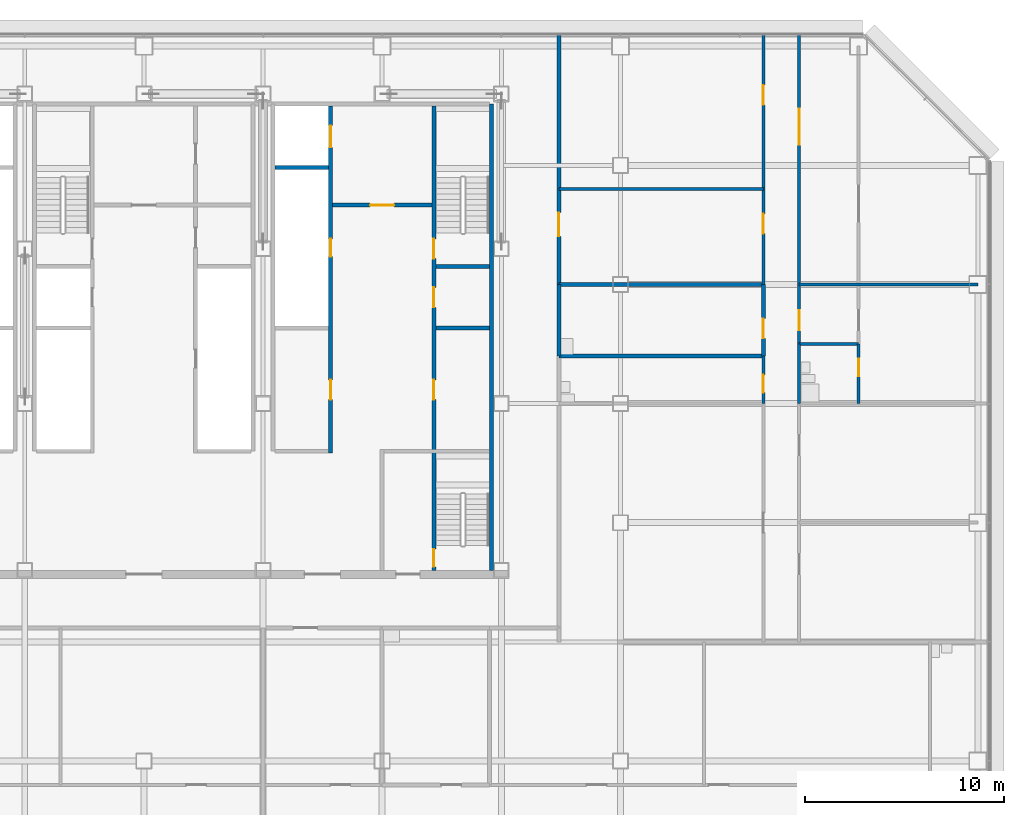
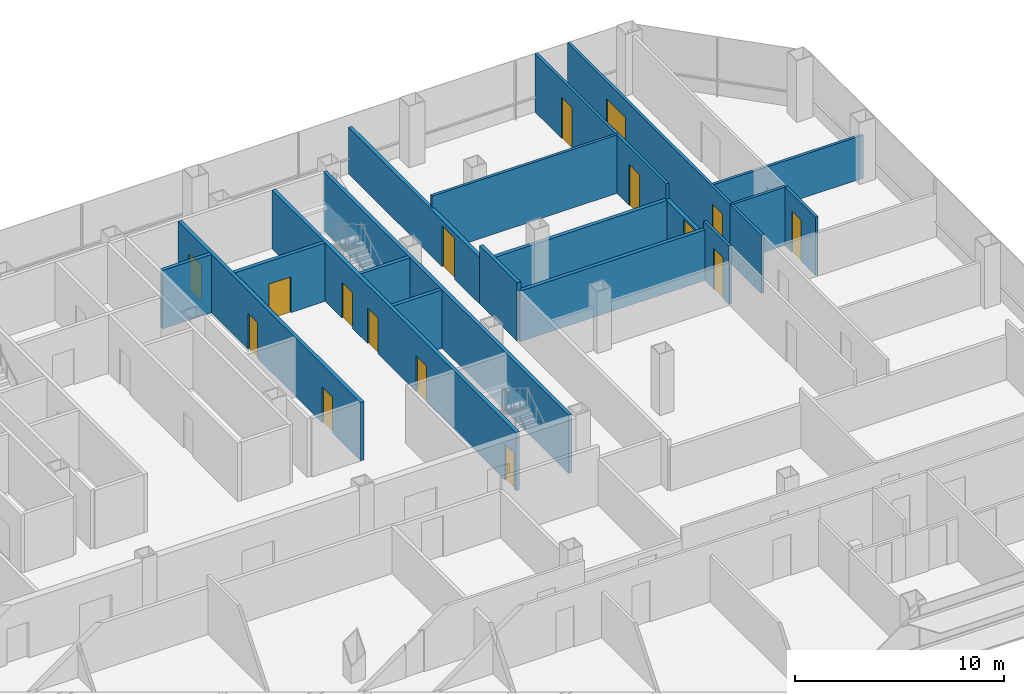
# One storey, part 23 of 27: 20 walls, 16 doors, 16 openings.
"""IFC4 building model written with IfcOpenShell, lengths in metres."""

import ifcopenshell
import ifcopenshell.guid

model = None  # the IFC model being written
_history = None  # IfcOwnerHistory: only IFC2X3 demands one
_inside = {}  # id of a spatial element -> (the spatial element, [elements in it])
_under = {}  # id of a project, library or spatial element -> (it, [spatial elements below it])
_declared = {}  # id of a project -> (the project, [libraries it declares])
_typed = {}  # id of a type object -> (the type object, [elements of that type])
_made_of = {}  # id of a material, layer set ... -> (it, [elements and type objects made of it])


def new_model(schema):
    """Start an empty IFC model of exactly this schema.

    Asked for "IFC4X3", IfcOpenShell would pick the latest addendum, in which some entities
    have other attributes; the version numbers below select the first issue.
    IFC2X3 requires an IfcOwnerHistory on every rooted entity: one is made here for all.
    """
    global model, _history
    if schema == "IFC4X3":
        model = ifcopenshell.file(schema_version=(4, 3, 0, 0))
    else:
        model = ifcopenshell.file(schema=schema)
    _inside.clear()
    _under.clear()
    _declared.clear()
    _typed.clear()
    _made_of.clear()
    _history = None
    if model.schema == "IFC2X3":
        org = make("IfcOrganization", Name="unknown")
        user = make(
            "IfcPersonAndOrganization",
            ThePerson=make("IfcPerson", FamilyName="unknown"),
            TheOrganization=org,
        )
        app = make(
            "IfcApplication",
            ApplicationDeveloper=org,
            Version="unknown",
            ApplicationFullName="unknown",
            ApplicationIdentifier="unknown",
        )
        _history = make(
            "IfcOwnerHistory",
            OwningUser=user,
            OwningApplication=app,
            ChangeAction="ADDED",
            CreationDate=0,
        )
    return model


def make(cls, **values):
    """One entity of the class cls with the attributes given. An attribute that is None is left unset."""
    return model.create_entity(
        cls, **{name: value for name, value in values.items() if value is not None}
    )


def rooted(cls, **values):
    """An entity with a GlobalId (a new one), such as an element, a storey or a relation."""
    return make(cls, GlobalId=ifcopenshell.guid.new(), OwnerHistory=_history, **values)


def si_unit(unit_type, name, prefix=None):
    """IfcSIUnit, for example si_unit("LENGTHUNIT", "METRE", prefix="MILLI")."""
    return make("IfcSIUnit", UnitType=unit_type, Prefix=prefix, Name=name)


def assignment(units):
    """IfcUnitAssignment: the units of a project."""
    return None if units is None else make("IfcUnitAssignment", Units=units)


def point(xyz):
    """IfcCartesianPoint."""
    return None if xyz is None else make("IfcCartesianPoint", Coordinates=xyz)


def direction(xyz):
    """IfcDirection."""
    return None if xyz is None else make("IfcDirection", DirectionRatios=xyz)


def frame(location, z_axis=None, x_axis=None):
    """IfcAxis2Placement3D, a coordinate frame: its origin and axes. An axis left out is left unset."""
    return make(
        "IfcAxis2Placement3D",
        Location=point(location),
        Axis=direction(z_axis),
        RefDirection=direction(x_axis),
    )


def frame_2d(location, x_axis=None):
    """IfcAxis2Placement2D, a coordinate frame in the plane: its origin and x axis."""
    return make(
        "IfcAxis2Placement2D", Location=point(location), RefDirection=direction(x_axis)
    )


def origin():
    """The frame at (0, 0, 0) with its axes left unset."""
    return frame((0.0, 0.0, 0.0))


def place(relative_to, where):
    """IfcLocalPlacement: puts the frame where relative to a parent placement (None: the world)."""
    return make(
        "IfcLocalPlacement", PlacementRelTo=relative_to, RelativePlacement=where
    )


def context(
    kind, dimensions, precision=None, world=None, true_north=None, identifier=None
):
    """IfcGeometricRepresentationContext, for example the 3D "Model" context."""
    return make(
        "IfcGeometricRepresentationContext",
        ContextIdentifier=identifier,
        ContextType=kind,
        CoordinateSpaceDimension=dimensions,
        Precision=precision,
        WorldCoordinateSystem=world,
        TrueNorth=true_north,
    )


def subcontext(parent, identifier, kind, view, scale=None):
    """IfcGeometricRepresentationSubContext, for example "Body" below "Model"."""
    return make(
        "IfcGeometricRepresentationSubContext",
        ContextIdentifier=identifier,
        ContextType=kind,
        ParentContext=parent,
        TargetScale=scale,
        TargetView=view,
    )


def project(units=None, contexts=None):
    """IfcProject with its units and contexts."""
    return rooted(
        "IfcProject",
        Name="project",
        RepresentationContexts=contexts,
        UnitsInContext=assignment(units),
    )


def spatial(cls, under=None, at=None, **own):
    """A site, building, storey or space (cls), placed at a placement, below another one or the project."""
    s = rooted(cls, ObjectPlacement=at, **own)
    if under is not None:
        _under.setdefault(under.id(), (under, []))[1].append(s)
    return s


def profile(cls, at=None, kind="AREA", **sizes):
    """A parametric profile (cls). Its sizes go by their IFC names, for example OverallWidth=200.0."""
    return make(cls, ProfileType=kind, Position=at, **sizes)


def rectangle(**sizes):
    """IfcRectangleProfileDef."""
    return profile("IfcRectangleProfileDef", **sizes)


def extrude(swept, where, along, depth):
    """IfcExtrudedAreaSolid: the profile swept, set in the frame where, extruded along a direction by depth."""
    return make(
        "IfcExtrudedAreaSolid",
        SweptArea=swept,
        Position=where,
        ExtrudedDirection=direction(along),
        Depth=depth,
    )


def shape(context_of_items, identifier, shape_type, items):
    """IfcShapeRepresentation: the items that make up one representation, for example the "Body"."""
    return make(
        "IfcShapeRepresentation",
        ContextOfItems=context_of_items,
        RepresentationIdentifier=identifier,
        RepresentationType=shape_type,
        Items=items,
    )


def material(Name=None, Category=None):
    """IfcMaterial."""
    return make("IfcMaterial", Name=Name, Category=Category)


def layer(
    of_material, thickness, ventilated=None, Name=None, Category=None, Priority=None
):
    """IfcMaterialLayer: one layer of a wall or slab, of a material (None: an air gap)."""
    return make(
        "IfcMaterialLayer",
        Material=of_material,
        LayerThickness=thickness,
        IsVentilated=ventilated,
        Name=Name,
        Category=Category,
        Priority=Priority,
    )


def layer_set(layers, Name=None):
    """IfcMaterialLayerSet."""
    return make("IfcMaterialLayerSet", MaterialLayers=layers, LayerSetName=Name)


def made_of(thing, what):
    """Note that an element or type object is made of a material, layer set ...; save() writes the relation."""
    if what is not None:
        _made_of.setdefault(what.id(), (what, []))[1].append(thing)
    return thing


def type_object(cls, material=None, **own):
    """A type object (cls), such as IfcWallType, which elements share."""
    return made_of(rooted(cls, **own), material)


def element(
    cls,
    number,
    at=None,
    inside=None,
    cuts=None,
    type_object=None,
    material=None,
    context=None,
    identifier="Body",
    shape_type=None,
    held_by="IfcProductDefinitionShape",
    body=None,
    shapes=None,
    **own,
):
    """One element of the class cls, such as IfcWall. Its Tag is "e" and its number.

    at: its placement. inside: the storey or other place that contains it. cuts: it is an
    opening in that element (IfcRelVoidsElement). A single representation is given by context,
    identifier, shape_type and body (its items); several are given by shapes. held_by: the class
    of the entity that holds the representations. save() writes the other relations.
    """
    e = rooted(cls, Tag="e%d" % number, ObjectPlacement=at, **own)
    if body is not None:
        shapes = [shape(context, identifier, shape_type, body)]
    if shapes is not None:
        e.Representation = make(held_by, Representations=shapes)
    if inside is not None:
        _inside.setdefault(inside.id(), (inside, []))[1].append(e)
    if cuts is not None:
        rooted(
            "IfcRelVoidsElement", RelatingBuildingElement=cuts, RelatedOpeningElement=e
        )
    if type_object is not None:
        _typed.setdefault(type_object.id(), (type_object, []))[1].append(e)
    return made_of(e, material)


def fill(opening, filler):
    """IfcRelFillsElement: the door or window that sits in an opening."""
    return rooted(
        "IfcRelFillsElement",
        RelatingOpeningElement=opening,
        RelatedBuildingElement=filler,
    )


def aggregate(whole, parts):
    """IfcRelAggregates: a whole, such as a stair, and the parts it consists of."""
    return rooted("IfcRelAggregates", RelatingObject=whole, RelatedObjects=parts)


def save(model, path):
    """Write the relations noted so far, then the file.

    IfcRelAggregates (storeys below a building ...), IfcRelContainedInSpatialStructure (elements
    in a storey), IfcRelDefinesByType, IfcRelAssociatesMaterial and IfcRelDeclares: one each for
    every whole, place, type object, material and project.
    """
    for whole, parts in _under.values():
        aggregate(whole, parts)
    for where, things in _inside.values():
        rooted(
            "IfcRelContainedInSpatialStructure",
            RelatedElements=things,
            RelatingStructure=where,
        )
    for kind, things in _typed.values():
        rooted("IfcRelDefinesByType", RelatedObjects=things, RelatingType=kind)
    for what, things in _made_of.values():
        rooted("IfcRelAssociatesMaterial", RelatedObjects=things, RelatingMaterial=what)
    for by, libraries in _declared.values():
        rooted("IfcRelDeclares", RelatingContext=by, RelatedDefinitions=libraries)
    model.write(path)


model = new_model("IFC4")

# Units and contexts
model_context = context("Model", 3, precision=1e-05, world=origin(), true_north=direction((0.0, 1.0)))
body_context = subcontext(model_context, "Body", "Model", "MODEL_VIEW")
ifc_project = project(units=[si_unit("LENGTHUNIT", "METRE"), si_unit("AREAUNIT", "SQUARE_METRE"), si_unit("VOLUMEUNIT", "CUBIC_METRE"), si_unit("PLANEANGLEUNIT", "RADIAN"), si_unit("MASSUNIT", "GRAM", prefix="KILO")], contexts=[model_context])

# Site, building, storey
site_placement = place(None, origin())
site = spatial("IfcSite", under=ifc_project, at=site_placement, CompositionType="ELEMENT")
building_placement = place(site_placement, origin())
building = spatial("IfcBuilding", under=site, at=building_placement, Name="Sorahane Residences", CompositionType="ELEMENT")
storey_placement = place(building_placement, frame((0.0, 0.0, 75.0)))
storey = spatial("IfcBuildingStorey", under=building, at=storey_placement, Name="L15", CompositionType="ELEMENT", Elevation=75.0)

# Wall
ifc_material_1 = material(Name="Concrete C30", Category="concrete")
ifc_layer_1 = layer(ifc_material_1, 0.199951171875)
ifc_layer_set_1 = layer_set([ifc_layer_1], Name="Core face wall 200 EI 180")
wall_type_1 = type_object("IfcWallType", Name="Core face wall 200 EI 180", PredefinedType="SOLIDWALL", material=ifc_layer_set_1)
wall_1_placement = place(storey_placement, frame((41.5, 21.60009765625, 0.0), z_axis=(0.0, 0.0, 1.0), x_axis=(0.0, 1.0, 0.0)))
element("IfcWall", 1, at=wall_1_placement, inside=storey, type_object=wall_type_1, Name="L15 core face wall", PredefinedType="SOLIDWALL", context=body_context, shape_type="SweptSolid", body=[
    extrude(rectangle(XDim=23.5, YDim=0.199951171875, at=frame_2d((11.75, 0.0))), origin(), (0.0, 0.0, 1.0), 3.419921875),
])

# Wall, opening, door
ifc_material_2 = material(Name="Concrete blockwork C20 wall", Category="masonry")
ifc_layer_2 = layer(ifc_material_2, 0.199951171875)
ifc_layer_set_2 = layer_set([ifc_layer_2], Name="Corridor wall 200 EI 120")
wall_type_2 = type_object("IfcWallType", Name="Corridor wall 200 EI 120", PredefinedType="SOLIDWALL", material=ifc_layer_set_2)
wall_2_placement = place(storey_placement, frame((44.89990234375, 36.0, 0.0), z_axis=(0.0, 0.0, 1.0), x_axis=(0.0, 1.0, 0.0)))
wall_2 = element("IfcWall", 2, at=wall_2_placement, inside=storey, type_object=wall_type_2, Name="L15 corridor wall", PredefinedType="SOLIDWALL", context=body_context, shape_type="SweptSolid", body=[
    extrude(rectangle(XDim=12.60009765625, YDim=0.199951171875, at=frame_2d((6.300048828125, 0.0))), origin(), (0.0, 0.0, 1.0), 2.719970703125),
])
opening_1_placement = place(wall_2_placement, frame((2.419921875, 0.0, 0.0)))
opening_1 = element("IfcOpeningElement", 3, at=opening_1_placement, cuts=wall_2, Name="Opening L15-40", PredefinedType="OPENING", context=body_context, shape_type="SweptSolid", body=[
    extrude(rectangle(XDim=1.199951171875, YDim=2.39990234375, at=frame_2d((0.60009765625, 1.199951171875))), frame((0.0, 0.10986328125, 0.0), z_axis=(0.0, -1.0, 0.0), x_axis=(1.0, 0.0, 0.0)), (0.0, 0.0, 1.0), 0.219970703125),
])
ifc_material_3 = material(Name="Timber veneered fire door", Category="wood")
door_type_1 = type_object("IfcDoorType", Name="Flat entrance door 1200x2400 FD60", OperationType="NOTDEFINED", PredefinedType="DOOR", material=ifc_material_3)
door_1_placement = place(opening_1_placement, frame((1.199951171875, 0.0, 0.0), z_axis=(0.0, 0.0, 1.0), x_axis=(-1.0, 0.0, 0.0)))
door_1 = element("IfcDoor", 4, at=door_1_placement, inside=storey, type_object=door_type_1, Name="Flat entrance door L15-40", OperationType="SINGLE_SWING_LEFT", OverallHeight=2.39990234375, OverallWidth=1.199951171875, PredefinedType="DOOR", context=body_context, shape_type="SweptSolid", body=[
    extrude(rectangle(XDim=1.199951171875, YDim=2.39990234375, at=frame_2d((0.60009765625, 1.199951171875))), frame((0.0, 0.02490234375, 0.0), z_axis=(0.0, -1.0, 0.0), x_axis=(1.0, 0.0, 0.0)), (0.0, 0.0, 1.0), 0.050048828125),
])
fill(opening_1, door_1)

ifc_material_4 = material(Name="Concrete C30", Category="concrete")
ifc_layer_3 = layer(ifc_material_4, 0.199951171875)
ifc_layer_set_3 = layer_set([ifc_layer_3], Name="Front room wall 200 EI 120")
wall_type_3 = type_object("IfcWallType", Name="Front room wall 200 EI 120", PredefinedType="PARTITIONING", material=ifc_layer_set_3)
wall_3_placement = place(storey_placement, frame((33.5, 40.0, 0.0), z_axis=(0.0, 0.0, 1.0), x_axis=(1.0, 0.0, 0.0)))
wall_3 = element("IfcWall", 5, at=wall_3_placement, inside=storey, type_object=wall_type_3, Name="L15 front room wall", PredefinedType="PARTITIONING", context=body_context, shape_type="SweptSolid", body=[
    extrude(rectangle(XDim=5.0, YDim=0.199951171875, at=frame_2d((2.5, 0.0))), origin(), (0.0, 0.0, 1.0), 3.419921875),
])
opening_2_placement = place(wall_3_placement, frame((1.89990234375, 0.0, 0.0)))
opening_2 = element("IfcOpeningElement", 6, at=opening_2_placement, cuts=wall_3, Name="Opening L15-C08", PredefinedType="OPENING", context=body_context, shape_type="SweptSolid", body=[
    extrude(rectangle(XDim=1.199951171875, YDim=2.10009765625, at=frame_2d((0.60009765625, 1.050048828125))), frame((0.0, 0.10986328125, 0.0), z_axis=(0.0, -1.0, 0.0), x_axis=(1.0, 0.0, 0.0)), (0.0, 0.0, 1.0), 0.219970703125),
])
ifc_material_5 = material(Name="Steel", Category="steel")
door_type_2 = type_object("IfcDoorType", Name="Front room door 1200x2100 FD120", OperationType="NOTDEFINED", PredefinedType="DOOR", material=ifc_material_5)
door_2_placement = place(opening_2_placement, frame((1.199951171875, 0.0, 0.0), z_axis=(0.0, 0.0, 1.0), x_axis=(-1.0, 0.0, 0.0)))
door_2 = element("IfcDoor", 7, at=door_2_placement, inside=storey, type_object=door_type_2, Name="Front room door Firefighting lobby FF2 front room L15", OperationType="DOUBLE_DOOR_SINGLE_SWING", OverallHeight=2.10009765625, OverallWidth=1.199951171875, PredefinedType="DOOR", context=body_context, shape_type="SweptSolid", body=[
    extrude(rectangle(XDim=1.199951171875, YDim=2.10009765625, at=frame_2d((0.60009765625, 1.050048828125))), frame((0.0, 0.02490234375, 0.0), z_axis=(0.0, -1.0, 0.0), x_axis=(1.0, 0.0, 0.0)), (0.0, 0.0, 1.0), 0.050048828125),
])
fill(opening_2, door_2)

# Wall
ifc_material_6 = material(Name="Concrete blockwork C20 wall", Category="masonry")
ifc_layer_4 = layer(ifc_material_6, 0.199951171875)
ifc_layer_set_4 = layer_set([ifc_layer_4], Name="Kitchen wall 200 EI 180")
wall_type_4 = type_object("IfcWallType", Name="Kitchen wall 200 EI 180", PredefinedType="SOLIDWALL", material=ifc_layer_set_4)
wall_4_placement = place(storey_placement, frame((44.89990234375, 32.39990234375, 0.0), z_axis=(0.0, 0.0, 1.0), x_axis=(0.0, 1.0, 0.0)))
element("IfcWall", 8, at=wall_4_placement, inside=storey, type_object=wall_type_4, Name="L15 kitchen wall", PredefinedType="SOLIDWALL", context=body_context, shape_type="SweptSolid", body=[
    extrude(rectangle(XDim=3.60009765625, YDim=0.199951171875, at=frame_2d((1.800048828125, 0.0))), origin(), (0.0, 0.0, 1.0), 3.419921875),
])

# Wall, opening, door
wall_5_placement = place(storey_placement, frame((55.199951171875, 32.39990234375, 0.0), z_axis=(0.0, 0.0, 1.0), x_axis=(0.0, 1.0, 0.0)))
wall_5 = element("IfcWall", 9, at=wall_5_placement, inside=storey, type_object=wall_type_4, Name="L15 kitchen wall", PredefinedType="SOLIDWALL", context=body_context, shape_type="SweptSolid", body=[
    extrude(rectangle(XDim=3.60009765625, YDim=0.199951171875, at=frame_2d((1.800048828125, 0.0))), origin(), (0.0, 0.0, 1.0), 2.52001953125),
])
opening_3_placement = place(wall_5_placement, frame((0.8798828125, 0.0, 0.0)))
opening_3 = element("IfcOpeningElement", 10, at=opening_3_placement, cuts=wall_5, Name="Opening L15-29", PredefinedType="OPENING", context=body_context, shape_type="SweptSolid", body=[
    extrude(rectangle(XDim=1.0, YDim=2.39990234375, at=frame_2d((0.5, 1.199951171875))), frame((0.0, 0.10986328125, 0.0), z_axis=(0.0, -1.0, 0.0), x_axis=(1.0, 0.0, 0.0)), (0.0, 0.0, 1.0), 0.219970703125),
])
ifc_material_7 = material(Name="Steel", Category="steel")
door_type_3 = type_object("IfcDoorType", Name="Kitchen door 1000x2400 FD120", OperationType="NOTDEFINED", PredefinedType="DOOR", material=ifc_material_7)
door_3_placement = place(opening_3_placement, origin())
door_3 = element("IfcDoor", 11, at=door_3_placement, inside=storey, type_object=door_type_3, Name="Kitchen door L15-29", OperationType="SINGLE_SWING_RIGHT", OverallHeight=2.39990234375, OverallWidth=1.0, PredefinedType="DOOR", context=body_context, shape_type="SweptSolid", body=[
    extrude(rectangle(XDim=1.0, YDim=2.39990234375, at=frame_2d((0.5, 1.199951171875))), frame((0.0, 0.02490234375, 0.0), z_axis=(0.0, -1.0, 0.0), x_axis=(1.0, 0.0, 0.0)), (0.0, 0.0, 1.0), 0.050048828125),
])
fill(opening_3, door_3)

# Walls
wall_6_placement = place(storey_placement, frame((44.89990234375, 32.39990234375, 0.0), z_axis=(0.0, 0.0, 1.0), x_axis=(1.0, 0.0, 0.0)))
element("IfcWall", 12, at=wall_6_placement, inside=storey, type_object=wall_type_4, Name="L15 kitchen wall", PredefinedType="SOLIDWALL", context=body_context, shape_type="SweptSolid", body=[
    extrude(rectangle(XDim=10.300048828125, YDim=0.199951171875, at=frame_2d((5.14990234375, 0.0))), origin(), (0.0, 0.0, 1.0), 2.969970703125),
])
wall_7_placement = place(storey_placement, frame((44.89990234375, 36.0, 0.0), z_axis=(0.0, 0.0, 1.0), x_axis=(1.0, 0.0, 0.0)))
element("IfcWall", 13, at=wall_7_placement, inside=storey, type_object=wall_type_4, Name="L15 kitchen wall", PredefinedType="SOLIDWALL", context=body_context, shape_type="SweptSolid", body=[
    extrude(rectangle(XDim=10.300048828125, YDim=0.199951171875, at=frame_2d((5.14990234375, 0.0))), origin(), (0.0, 0.0, 1.0), 2.52001953125),
])

# Wall, openings, doors
ifc_material_8 = material(Name="Concrete C30", Category="concrete")
ifc_layer_5 = layer(ifc_material_8, 0.199951171875)
ifc_layer_set_5 = layer_set([ifc_layer_5], Name="Lift shaft wall 200 EI 120")
wall_type_5 = type_object("IfcWallType", Name="Lift shaft wall 200 EI 120", PredefinedType="SOLIDWALL", material=ifc_layer_set_5)
wall_8_placement = place(storey_placement, frame((33.39990234375, 27.5, 0.0), z_axis=(0.0, 0.0, 1.0), x_axis=(0.0, 1.0, 0.0)))
wall_8 = element("IfcWall", 14, at=wall_8_placement, inside=storey, type_object=wall_type_5, Name="L15 lift shaft wall", PredefinedType="SOLIDWALL", context=body_context, shape_type="SweptSolid", body=[
    extrude(rectangle(XDim=17.5, YDim=0.199951171875, at=frame_2d((8.75, 0.0))), origin(), (0.0, 0.0, 1.0), 3.419921875),
])
opening_4_placement = place(wall_8_placement, frame((15.39990234375, 0.0, 0.0)))
opening_4 = element("IfcOpeningElement", 15, at=opening_4_placement, cuts=wall_8, Name="Opening L15-C09", PredefinedType="OPENING", context=body_context, shape_type="SweptSolid", body=[
    extrude(rectangle(XDim=1.10009765625, YDim=2.10009765625, at=frame_2d((0.550048828125, 1.050048828125))), frame((0.0, 0.10986328125, 0.0), z_axis=(0.0, -1.0, 0.0), x_axis=(1.0, 0.0, 0.0)), (0.0, 0.0, 1.0), 0.219970703125),
])
opening_5_placement = place(wall_8_placement, frame((2.699951171875, 0.0, 0.0)))
opening_5 = element("IfcOpeningElement", 16, at=opening_5_placement, cuts=wall_8, Name="Opening L15-C18", PredefinedType="OPENING", context=body_context, shape_type="SweptSolid", body=[
    extrude(rectangle(XDim=1.0, YDim=2.10009765625, at=frame_2d((0.5, 1.050048828125))), frame((0.0, 0.10986328125, 0.0), z_axis=(0.0, -1.0, 0.0), x_axis=(1.0, 0.0, 0.0)), (0.0, 0.0, 1.0), 0.219970703125),
])
opening_6_placement = place(wall_8_placement, frame((9.89990234375, 0.0, 0.0)))
opening_6 = element("IfcOpeningElement", 17, at=opening_6_placement, cuts=wall_8, Name="Opening L15-C25", PredefinedType="OPENING", context=body_context, shape_type="SweptSolid", body=[
    extrude(rectangle(XDim=0.89990234375, YDim=2.10009765625, at=frame_2d((0.449951171875, 1.050048828125))), frame((0.0, 0.10986328125, 0.0), z_axis=(0.0, -1.0, 0.0), x_axis=(1.0, 0.0, 0.0)), (0.0, 0.0, 1.0), 0.219970703125),
])
ifc_material_9 = material(Name="Aluminium and stainless steel", Category="steel")
door_type_4 = type_object("IfcDoorType", Name="Lift landing door 1100x2100 E 60", OperationType="NOTDEFINED", PredefinedType="DOOR", material=ifc_material_9)
door_4_placement = place(opening_4_placement, origin())
door_4 = element("IfcDoor", 18, at=door_4_placement, inside=storey, type_object=door_type_4, Name="Lift landing door FF2 L15", OperationType="DOUBLE_DOOR_SLIDING", OverallHeight=2.10009765625, OverallWidth=1.10009765625, PredefinedType="DOOR", context=body_context, shape_type="SweptSolid", body=[
    extrude(rectangle(XDim=1.10009765625, YDim=2.10009765625, at=frame_2d((0.550048828125, 1.050048828125))), frame((0.0, 0.02490234375, 0.0), z_axis=(0.0, -1.0, 0.0), x_axis=(1.0, 0.0, 0.0)), (0.0, 0.0, 1.0), 0.050048828125),
])
fill(opening_4, door_4)
ifc_material_10 = material(Name="Steel", Category="steel")
door_type_5 = type_object("IfcDoorType", Name="Riser door 900x2100 FD120", OperationType="NOTDEFINED", PredefinedType="DOOR", material=ifc_material_10)
door_5_placement = place(opening_6_placement, frame((0.89990234375, 0.0, 0.0), z_axis=(0.0, 0.0, 1.0), x_axis=(-1.0, 0.0, 0.0)))
door_5 = element("IfcDoor", 19, at=door_5_placement, inside=storey, type_object=door_type_5, Name="Riser door R2 L15", OperationType="SINGLE_SWING_LEFT", OverallHeight=2.10009765625, OverallWidth=0.89990234375, PredefinedType="DOOR", context=body_context, shape_type="SweptSolid", body=[
    extrude(rectangle(XDim=0.89990234375, YDim=2.10009765625, at=frame_2d((0.449951171875, 1.050048828125))), frame((0.0, 0.02490234375, 0.0), z_axis=(0.0, -1.0, 0.0), x_axis=(1.0, 0.0, 0.0)), (0.0, 0.0, 1.0), 0.050048828125),
])
fill(opening_6, door_5)
ifc_material_11 = material(Name="Steel", Category="steel")
door_type_6 = type_object("IfcDoorType", Name="Service room door 1000x2100 FD60", OperationType="NOTDEFINED", PredefinedType="DOOR", material=ifc_material_11)
door_6_placement = place(opening_5_placement, origin())
door_6 = element("IfcDoor", 20, at=door_6_placement, inside=storey, type_object=door_type_6, Name="Service room door Reading room L15", OperationType="SINGLE_SWING_RIGHT", OverallHeight=2.10009765625, OverallWidth=1.0, PredefinedType="DOOR", context=body_context, shape_type="SweptSolid", body=[
    extrude(rectangle(XDim=1.0, YDim=2.10009765625, at=frame_2d((0.5, 1.050048828125))), frame((0.0, 0.02490234375, 0.0), z_axis=(0.0, -1.0, 0.0), x_axis=(1.0, 0.0, 0.0)), (0.0, 0.0, 1.0), 0.050048828125),
])
fill(opening_5, door_6)

# Wall
wall_9_placement = place(storey_placement, frame((30.60009765625, 41.89990234375, 0.0), z_axis=(0.0, 0.0, 1.0), x_axis=(1.0, 0.0, 0.0)))
element("IfcWall", 21, at=wall_9_placement, inside=storey, type_object=wall_type_5, Name="L15 lift shaft wall", PredefinedType="SOLIDWALL", context=body_context, shape_type="SweptSolid", body=[
    extrude(rectangle(XDim=2.699951171875, YDim=0.199951171875, at=frame_2d((1.35009765625, 0.0))), origin(), (0.0, 0.0, 1.0), 3.419921875),
])

# Wall, openings, doors
ifc_material_12 = material(Name="Gypsum board partition on steel studs", Category="steel")
ifc_layer_6 = layer(ifc_material_12, 0.14990234375)
ifc_layer_set_6 = layer_set([ifc_layer_6], Name="Partition 150 EI 90")
wall_type_6 = type_object("IfcWallType", Name="Partition 150 EI 90", PredefinedType="PARTITIONING", material=ifc_layer_set_6)
wall_10_placement = place(storey_placement, frame((55.199951171875, 36.0, 0.0), z_axis=(0.0, 0.0, 1.0), x_axis=(0.0, 1.0, 0.0)))
wall_10 = element("IfcWall", 22, at=wall_10_placement, inside=storey, type_object=wall_type_6, Name="L15 partition", PredefinedType="PARTITIONING", context=body_context, shape_type="SweptSolid", body=[
    extrude(rectangle(XDim=12.60009765625, YDim=0.14990234375, at=frame_2d((6.300048828125, 0.0))), origin(), (0.0, 0.0, 1.0), 3.419921875),
])
opening_7_placement = place(wall_10_placement, frame((2.56005859375, 0.0, 0.0)))
opening_7 = element("IfcOpeningElement", 23, at=opening_7_placement, cuts=wall_10, Name="Opening L15-26", PredefinedType="OPENING", context=body_context, shape_type="SweptSolid", body=[
    extrude(rectangle(XDim=1.0, YDim=2.39990234375, at=frame_2d((0.5, 1.199951171875))), frame((0.0, 0.0849609375, 0.0), z_axis=(0.0, -1.0, 0.0), x_axis=(1.0, 0.0, 0.0)), (0.0, 0.0, 1.0), 0.169921875),
])
opening_8_placement = place(wall_10_placement, frame((9.0400390625, 0.0, 0.0)))
opening_8 = element("IfcOpeningElement", 24, at=opening_8_placement, cuts=wall_10, Name="Opening L15-30", PredefinedType="OPENING", context=body_context, shape_type="SweptSolid", body=[
    extrude(rectangle(XDim=1.0, YDim=2.39990234375, at=frame_2d((0.5, 1.199951171875))), frame((0.0, 0.0849609375, 0.0), z_axis=(0.0, -1.0, 0.0), x_axis=(1.0, 0.0, 0.0)), (0.0, 0.0, 1.0), 0.169921875),
])
ifc_material_13 = material(Name="Timber veneered fire door", Category="wood")
door_type_7 = type_object("IfcDoorType", Name="Room door 1000x2400 FD30", OperationType="NOTDEFINED", PredefinedType="DOOR", material=ifc_material_13)
door_7_placement = place(opening_7_placement, frame((1.0, 0.0, 0.0), z_axis=(0.0, 0.0, 1.0), x_axis=(-1.0, 0.0, 0.0)))
door_7 = element("IfcDoor", 25, at=door_7_placement, inside=storey, type_object=door_type_7, Name="Room door L15-26", OperationType="SINGLE_SWING_LEFT", OverallHeight=2.39990234375, OverallWidth=1.0, PredefinedType="DOOR", context=body_context, shape_type="SweptSolid", body=[
    extrude(rectangle(XDim=1.0, YDim=2.39990234375, at=frame_2d((0.5, 1.199951171875))), frame((0.0, 0.02490234375, 0.0), z_axis=(0.0, -1.0, 0.0), x_axis=(1.0, 0.0, 0.0)), (0.0, 0.0, 1.0), 0.050048828125),
])
fill(opening_7, door_7)
door_8_placement = place(opening_8_placement, origin())
door_8 = element("IfcDoor", 26, at=door_8_placement, inside=storey, type_object=door_type_7, Name="Room door L15-30", OperationType="SINGLE_SWING_LEFT", OverallHeight=2.39990234375, OverallWidth=1.0, PredefinedType="DOOR", context=body_context, shape_type="SweptSolid", body=[
    extrude(rectangle(XDim=1.0, YDim=2.39990234375, at=frame_2d((0.5, 1.199951171875))), frame((0.0, 0.02490234375, 0.0), z_axis=(0.0, -1.0, 0.0), x_axis=(1.0, 0.0, 0.0)), (0.0, 0.0, 1.0), 0.050048828125),
])
fill(opening_8, door_8)

wall_11_placement = place(storey_placement, frame((57.0, 33.0, 0.0), z_axis=(0.0, 0.0, 1.0), x_axis=(0.0, 1.0, 0.0)))
wall_11 = element("IfcWall", 27, at=wall_11_placement, inside=storey, type_object=wall_type_6, Name="L15 partition", PredefinedType="PARTITIONING", context=body_context, shape_type="SweptSolid", body=[
    extrude(rectangle(XDim=15.60009765625, YDim=0.14990234375, at=frame_2d((7.800048828125, 0.0))), origin(), (0.0, 0.0, 1.0), 3.419921875),
])
opening_9_placement = place(wall_11_placement, frame((0.699951171875, 0.0, 0.0)))
opening_9 = element("IfcOpeningElement", 28, at=opening_9_placement, cuts=wall_11, Name="Opening L15-33", PredefinedType="OPENING", context=body_context, shape_type="SweptSolid", body=[
    extrude(rectangle(XDim=1.0, YDim=2.39990234375, at=frame_2d((0.5, 1.199951171875))), frame((0.0, 0.0849609375, 0.0), z_axis=(0.0, -1.0, 0.0), x_axis=(1.0, 0.0, 0.0)), (0.0, 0.0, 1.0), 0.169921875),
])
opening_10_placement = place(wall_11_placement, frame((10.0400390625, 0.0, 0.0)))
opening_10 = element("IfcOpeningElement", 29, at=opening_10_placement, cuts=wall_11, Name="Opening L15-34", PredefinedType="OPENING", context=body_context, shape_type="SweptSolid", body=[
    extrude(rectangle(XDim=1.800048828125, YDim=2.39990234375, at=frame_2d((0.89990234375, 1.199951171875))), frame((0.0, 0.0849609375, 0.0), z_axis=(0.0, -1.0, 0.0), x_axis=(1.0, 0.0, 0.0)), (0.0, 0.0, 1.0), 0.169921875),
])
ifc_material_14 = material(Name="Timber veneered fire door", Category="wood")
door_type_8 = type_object("IfcDoorType", Name="Double door 1800x2400 FD30", OperationType="NOTDEFINED", PredefinedType="DOOR", material=ifc_material_14)
door_9_placement = place(opening_10_placement, frame((1.800048828125, 0.0, 0.0), z_axis=(0.0, 0.0, 1.0), x_axis=(-1.0, 0.0, 0.0)))
door_9 = element("IfcDoor", 30, at=door_9_placement, inside=storey, type_object=door_type_8, Name="Double door L15-34", OperationType="SINGLE_SWING_LEFT", OverallHeight=2.39990234375, OverallWidth=1.800048828125, PredefinedType="DOOR", context=body_context, shape_type="SweptSolid", body=[
    extrude(rectangle(XDim=1.800048828125, YDim=2.39990234375, at=frame_2d((0.89990234375, 1.199951171875))), frame((0.0, 0.02490234375, 0.0), z_axis=(0.0, -1.0, 0.0), x_axis=(1.0, 0.0, 0.0)), (0.0, 0.0, 1.0), 0.050048828125),
])
fill(opening_10, door_9)
door_10_placement = place(opening_9_placement, frame((1.0, 0.0, 0.0), z_axis=(0.0, 0.0, 1.0), x_axis=(-1.0, 0.0, 0.0)))
door_10 = element("IfcDoor", 31, at=door_10_placement, inside=storey, type_object=door_type_7, Name="Room door L15-33", OperationType="SINGLE_SWING_RIGHT", OverallHeight=2.39990234375, OverallWidth=1.0, PredefinedType="DOOR", context=body_context, shape_type="SweptSolid", body=[
    extrude(rectangle(XDim=1.0, YDim=2.39990234375, at=frame_2d((0.5, 1.199951171875))), frame((0.0, 0.02490234375, 0.0), z_axis=(0.0, -1.0, 0.0), x_axis=(1.0, 0.0, 0.0)), (0.0, 0.0, 1.0), 0.050048828125),
])
fill(opening_9, door_10)

# Walls
wall_12_placement = place(storey_placement, frame((57.0, 36.0, 0.0), z_axis=(0.0, 0.0, 1.0), x_axis=(1.0, 0.0, 0.0)))
element("IfcWall", 32, at=wall_12_placement, inside=storey, type_object=wall_type_6, Name="L15 partition", PredefinedType="PARTITIONING", context=body_context, shape_type="SweptSolid", body=[
    extrude(rectangle(XDim=9.0, YDim=0.14990234375, at=frame_2d((4.5, 0.0))), origin(), (0.0, 0.0, 1.0), 2.52001953125),
])
wall_13_placement = place(storey_placement, frame((44.89990234375, 40.800048828125, 0.0), z_axis=(0.0, 0.0, 1.0), x_axis=(1.0, 0.0, 0.0)))
element("IfcWall", 33, at=wall_13_placement, inside=storey, type_object=wall_type_6, Name="L15 partition", PredefinedType="PARTITIONING", context=body_context, shape_type="SweptSolid", body=[
    extrude(rectangle(XDim=10.300048828125, YDim=0.14990234375, at=frame_2d((5.14990234375, 0.0))), origin(), (0.0, 0.0, 1.0), 3.419921875),
])
ifc_material_15 = material(Name="Concrete C30", Category="concrete")
ifc_layer_7 = layer(ifc_material_15, 0.199951171875)
ifc_layer_set_7 = layer_set([ifc_layer_7], Name="Service room partition 200 EI 60")
wall_type_7 = type_object("IfcWallType", Name="Service room partition 200 EI 60", PredefinedType="PARTITIONING", material=ifc_layer_set_7)
wall_14_placement = place(storey_placement, frame((38.699951171875, 33.800048828125, 0.0), z_axis=(0.0, 0.0, 1.0), x_axis=(1.0, 0.0, 0.0)))
element("IfcWall", 34, at=wall_14_placement, inside=storey, type_object=wall_type_7, Name="L15 service room wall", PredefinedType="PARTITIONING", context=body_context, shape_type="SweptSolid", body=[
    extrude(rectangle(XDim=2.699951171875, YDim=0.199951171875, at=frame_2d((1.35009765625, 0.0))), origin(), (0.0, 0.0, 1.0), 3.419921875),
])

# Wall, openings, doors
ifc_material_16 = material(Name="Concrete C30", Category="concrete")
ifc_layer_8 = layer(ifc_material_16, 0.199951171875)
ifc_layer_set_8 = layer_set([ifc_layer_8], Name="Stair enclosure wall 200 EI 120")
wall_type_8 = type_object("IfcWallType", Name="Stair enclosure wall 200 EI 120", PredefinedType="SOLIDWALL", material=ifc_layer_set_8)
wall_15_placement = place(storey_placement, frame((38.60009765625, 21.60009765625, 0.0), z_axis=(0.0, 0.0, 1.0), x_axis=(0.0, 1.0, 0.0)))
wall_15 = element("IfcWall", 35, at=wall_15_placement, inside=storey, type_object=wall_type_8, Name="L15 stair enclosure wall", PredefinedType="SOLIDWALL", context=body_context, shape_type="SweptSolid", body=[
    extrude(rectangle(XDim=23.39990234375, YDim=0.199951171875, at=frame_2d((11.699951171875, 0.0))), origin(), (0.0, 0.0, 1.0), 3.419921875),
])
opening_11_placement = place(wall_15_placement, frame((8.60009765625, 0.0, 0.0)))
opening_11 = element("IfcOpeningElement", 36, at=opening_11_placement, cuts=wall_15, Name="Opening L15-C16", PredefinedType="OPENING", context=body_context, shape_type="SweptSolid", body=[
    extrude(rectangle(XDim=1.0, YDim=2.10009765625, at=frame_2d((0.5, 1.050048828125))), frame((0.0, 0.10986328125, 0.0), z_axis=(0.0, -1.0, 0.0), x_axis=(1.0, 0.0, 0.0)), (0.0, 0.0, 1.0), 0.219970703125),
])
opening_12_placement = place(wall_15_placement, frame((13.25, 0.0, 0.0)))
opening_12 = element("IfcOpeningElement", 37, at=opening_12_placement, cuts=wall_15, Name="Opening L15-C17", PredefinedType="OPENING", context=body_context, shape_type="SweptSolid", body=[
    extrude(rectangle(XDim=1.0, YDim=2.10009765625, at=frame_2d((0.5, 1.050048828125))), frame((0.0, 0.10986328125, 0.0), z_axis=(0.0, -1.0, 0.0), x_axis=(1.0, 0.0, 0.0)), (0.0, 0.0, 1.0), 0.219970703125),
])
opening_13_placement = place(wall_15_placement, frame((15.699951171875, 0.0, 0.0)))
opening_13 = element("IfcOpeningElement", 38, at=opening_13_placement, cuts=wall_15, Name="Opening L15-C20", PredefinedType="OPENING", context=body_context, shape_type="SweptSolid", body=[
    extrude(rectangle(XDim=1.0, YDim=2.10009765625, at=frame_2d((0.5, 1.050048828125))), frame((0.0, 0.10986328125, 0.0), z_axis=(0.0, -1.0, 0.0), x_axis=(1.0, 0.0, 0.0)), (0.0, 0.0, 1.0), 0.219970703125),
])
opening_14_placement = place(wall_15_placement, frame((0.175048828125, 0.0, 0.0)))
opening_14 = element("IfcOpeningElement", 39, at=opening_14_placement, cuts=wall_15, Name="Opening L15-C23", PredefinedType="OPENING", context=body_context, shape_type="SweptSolid", body=[
    extrude(rectangle(XDim=0.89990234375, YDim=2.10009765625, at=frame_2d((0.449951171875, 1.050048828125))), frame((0.0, 0.10986328125, 0.0), z_axis=(0.0, -1.0, 0.0), x_axis=(1.0, 0.0, 0.0)), (0.0, 0.0, 1.0), 0.219970703125),
])
door_11_placement = place(opening_11_placement, frame((1.0, 0.0, 0.0), z_axis=(0.0, 0.0, 1.0), x_axis=(-1.0, 0.0, 0.0)))
door_11 = element("IfcDoor", 40, at=door_11_placement, inside=storey, type_object=door_type_6, Name="Service room door Reading room L15", OperationType="SINGLE_SWING_RIGHT", OverallHeight=2.10009765625, OverallWidth=1.0, PredefinedType="DOOR", context=body_context, shape_type="SweptSolid", body=[
    extrude(rectangle(XDim=1.0, YDim=2.10009765625, at=frame_2d((0.5, 1.050048828125))), frame((0.0, 0.02490234375, 0.0), z_axis=(0.0, -1.0, 0.0), x_axis=(1.0, 0.0, 0.0)), (0.0, 0.0, 1.0), 0.050048828125),
])
fill(opening_11, door_11)
door_12_placement = place(opening_12_placement, frame((1.0, 0.0, 0.0), z_axis=(0.0, 0.0, 1.0), x_axis=(-1.0, 0.0, 0.0)))
door_12 = element("IfcDoor", 41, at=door_12_placement, inside=storey, type_object=door_type_6, Name="Service room door Reading room L15", OperationType="SINGLE_SWING_LEFT", OverallHeight=2.10009765625, OverallWidth=1.0, PredefinedType="DOOR", context=body_context, shape_type="SweptSolid", body=[
    extrude(rectangle(XDim=1.0, YDim=2.10009765625, at=frame_2d((0.5, 1.050048828125))), frame((0.0, 0.02490234375, 0.0), z_axis=(0.0, -1.0, 0.0), x_axis=(1.0, 0.0, 0.0)), (0.0, 0.0, 1.0), 0.050048828125),
])
fill(opening_12, door_12)
ifc_material_17 = material(Name="Steel", Category="steel")
door_type_9 = type_object("IfcDoorType", Name="Stair door 1000x2100 FD120", OperationType="NOTDEFINED", PredefinedType="DOOR", material=ifc_material_17)
door_13_placement = place(opening_13_placement, frame((1.0, 0.0, 0.0), z_axis=(0.0, 0.0, 1.0), x_axis=(-1.0, 0.0, 0.0)))
door_13 = element("IfcDoor", 42, at=door_13_placement, inside=storey, type_object=door_type_9, Name="Stair door S2 L15", OperationType="SINGLE_SWING_LEFT", OverallHeight=2.10009765625, OverallWidth=1.0, PredefinedType="DOOR", context=body_context, shape_type="SweptSolid", body=[
    extrude(rectangle(XDim=1.0, YDim=2.10009765625, at=frame_2d((0.5, 1.050048828125))), frame((0.0, 0.02490234375, 0.0), z_axis=(0.0, -1.0, 0.0), x_axis=(1.0, 0.0, 0.0)), (0.0, 0.0, 1.0), 0.050048828125),
])
fill(opening_13, door_13)
ifc_material_18 = material(Name="Steel", Category="steel")
door_type_10 = type_object("IfcDoorType", Name="Stair door 900x2100 FD120", OperationType="NOTDEFINED", PredefinedType="DOOR", material=ifc_material_18)
door_14_placement = place(opening_14_placement, frame((0.89990234375, 0.0, 0.0), z_axis=(0.0, 0.0, 1.0), x_axis=(-1.0, 0.0, 0.0)))
door_14 = element("IfcDoor", 43, at=door_14_placement, inside=storey, type_object=door_type_10, Name="Stair door S5 L15", OperationType="SINGLE_SWING_LEFT", OverallHeight=2.10009765625, OverallWidth=0.89990234375, PredefinedType="DOOR", context=body_context, shape_type="SweptSolid", body=[
    extrude(rectangle(XDim=0.89990234375, YDim=2.10009765625, at=frame_2d((0.449951171875, 1.050048828125))), frame((0.0, 0.02490234375, 0.0), z_axis=(0.0, -1.0, 0.0), x_axis=(1.0, 0.0, 0.0)), (0.0, 0.0, 1.0), 0.050048828125),
])
fill(opening_14, door_14)

# Wall
wall_16_placement = place(storey_placement, frame((38.699951171875, 36.89990234375, 0.0), z_axis=(0.0, 0.0, 1.0), x_axis=(1.0, 0.0, 0.0)))
element("IfcWall", 44, at=wall_16_placement, inside=storey, type_object=wall_type_8, Name="L15 stair enclosure wall", PredefinedType="SOLIDWALL", context=body_context, shape_type="SweptSolid", body=[
    extrude(rectangle(XDim=2.699951171875, YDim=0.199951171875, at=frame_2d((1.35009765625, 0.0))), origin(), (0.0, 0.0, 1.0), 3.419921875),
])

# Wall, opening, door
ifc_material_19 = material(Name="Gypsum board partition on steel studs", Category="steel")
ifc_layer_9 = layer(ifc_material_19, 0.14990234375)
ifc_layer_set_9 = layer_set([ifc_layer_9], Name="Wet wall 150 EI 90")
wall_type_9 = type_object("IfcWallType", Name="Wet wall 150 EI 90", PredefinedType="PARTITIONING", material=ifc_layer_set_9)
wall_17_placement = place(storey_placement, frame((55.199951171875, 30.0, 0.0), z_axis=(0.0, 0.0, 1.0), x_axis=(0.0, 1.0, 0.0)))
wall_17 = element("IfcWall", 45, at=wall_17_placement, inside=storey, type_object=wall_type_9, Name="L15 wet wall", PredefinedType="PARTITIONING", context=body_context, shape_type="SweptSolid", body=[
    extrude(rectangle(XDim=2.39990234375, YDim=0.14990234375, at=frame_2d((1.199951171875, 0.0))), origin(), (0.0, 0.0, 1.0), 3.419921875),
])
opening_15_placement = place(wall_17_placement, frame((0.550048828125, 0.0, 0.0)))
opening_15 = element("IfcOpeningElement", 46, at=opening_15_placement, cuts=wall_17, Name="Opening L15-28", PredefinedType="OPENING", context=body_context, shape_type="SweptSolid", body=[
    extrude(rectangle(XDim=0.89990234375, YDim=2.39990234375, at=frame_2d((0.449951171875, 1.199951171875))), frame((0.0, 0.0849609375, 0.0), z_axis=(0.0, -1.0, 0.0), x_axis=(1.0, 0.0, 0.0)), (0.0, 0.0, 1.0), 0.169921875),
])
ifc_material_20 = material(Name="Timber veneered fire door", Category="wood")
door_type_11 = type_object("IfcDoorType", Name="Bathroom door 900x2400 FD30", OperationType="NOTDEFINED", PredefinedType="DOOR", material=ifc_material_20)
door_15_placement = place(opening_15_placement, frame((0.89990234375, 0.0, 0.0), z_axis=(0.0, 0.0, 1.0), x_axis=(-1.0, 0.0, 0.0)))
door_15 = element("IfcDoor", 47, at=door_15_placement, inside=storey, type_object=door_type_11, Name="Bathroom door L15-28", OperationType="SINGLE_SWING_RIGHT", OverallHeight=2.39990234375, OverallWidth=0.89990234375, PredefinedType="DOOR", context=body_context, shape_type="SweptSolid", body=[
    extrude(rectangle(XDim=0.89990234375, YDim=2.39990234375, at=frame_2d((0.449951171875, 1.199951171875))), frame((0.0, 0.02490234375, 0.0), z_axis=(0.0, -1.0, 0.0), x_axis=(1.0, 0.0, 0.0)), (0.0, 0.0, 1.0), 0.050048828125),
])
fill(opening_15, door_15)

# Wall
wall_18_placement = place(storey_placement, frame((57.0, 30.0, 0.0), z_axis=(0.0, 0.0, 1.0), x_axis=(0.0, 1.0, 0.0)))
element("IfcWall", 48, at=wall_18_placement, inside=storey, type_object=wall_type_9, Name="L15 wet wall", PredefinedType="PARTITIONING", context=body_context, shape_type="SweptSolid", body=[
    extrude(rectangle(XDim=3.0, YDim=0.14990234375, at=frame_2d((1.5, 0.0))), origin(), (0.0, 0.0, 1.0), 3.419921875),
])

# Wall, opening, door
wall_19_placement = place(storey_placement, frame((60.0, 30.0, 0.0), z_axis=(0.0, 0.0, 1.0), x_axis=(0.0, 1.0, 0.0)))
wall_19 = element("IfcWall", 49, at=wall_19_placement, inside=storey, type_object=wall_type_9, Name="L15 wet wall", PredefinedType="PARTITIONING", context=body_context, shape_type="SweptSolid", body=[
    extrude(rectangle(XDim=3.0, YDim=0.14990234375, at=frame_2d((1.5, 0.0))), origin(), (0.0, 0.0, 1.0), 3.419921875),
])
opening_16_placement = place(wall_19_placement, frame((1.3701171875, 0.0, 0.0)))
opening_16 = element("IfcOpeningElement", 50, at=opening_16_placement, cuts=wall_19, Name="Opening L15-36", PredefinedType="OPENING", context=body_context, shape_type="SweptSolid", body=[
    extrude(rectangle(XDim=0.89990234375, YDim=2.39990234375, at=frame_2d((0.449951171875, 1.199951171875))), frame((0.0, 0.0849609375, 0.0), z_axis=(0.0, -1.0, 0.0), x_axis=(1.0, 0.0, 0.0)), (0.0, 0.0, 1.0), 0.169921875),
])
door_16_placement = place(opening_16_placement, frame((0.89990234375, 0.0, 0.0), z_axis=(0.0, 0.0, 1.0), x_axis=(-1.0, 0.0, 0.0)))
door_16 = element("IfcDoor", 51, at=door_16_placement, inside=storey, type_object=door_type_11, Name="Bathroom door L15-36", OperationType="SINGLE_SWING_LEFT", OverallHeight=2.39990234375, OverallWidth=0.89990234375, PredefinedType="DOOR", context=body_context, shape_type="SweptSolid", body=[
    extrude(rectangle(XDim=0.89990234375, YDim=2.39990234375, at=frame_2d((0.449951171875, 1.199951171875))), frame((0.0, 0.02490234375, 0.0), z_axis=(0.0, -1.0, 0.0), x_axis=(1.0, 0.0, 0.0)), (0.0, 0.0, 1.0), 0.050048828125),
])
fill(opening_16, door_16)

# Wall
wall_20_placement = place(storey_placement, frame((57.0, 33.0, 0.0), z_axis=(0.0, 0.0, 1.0), x_axis=(1.0, 0.0, 0.0)))
element("IfcWall", 52, at=wall_20_placement, inside=storey, type_object=wall_type_9, Name="L15 wet wall", PredefinedType="PARTITIONING", context=body_context, shape_type="SweptSolid", body=[
    extrude(rectangle(XDim=3.0, YDim=0.14990234375, at=frame_2d((1.5, 0.0))), origin(), (0.0, 0.0, 1.0), 3.419921875),
])

save(model, "model.ifc")
